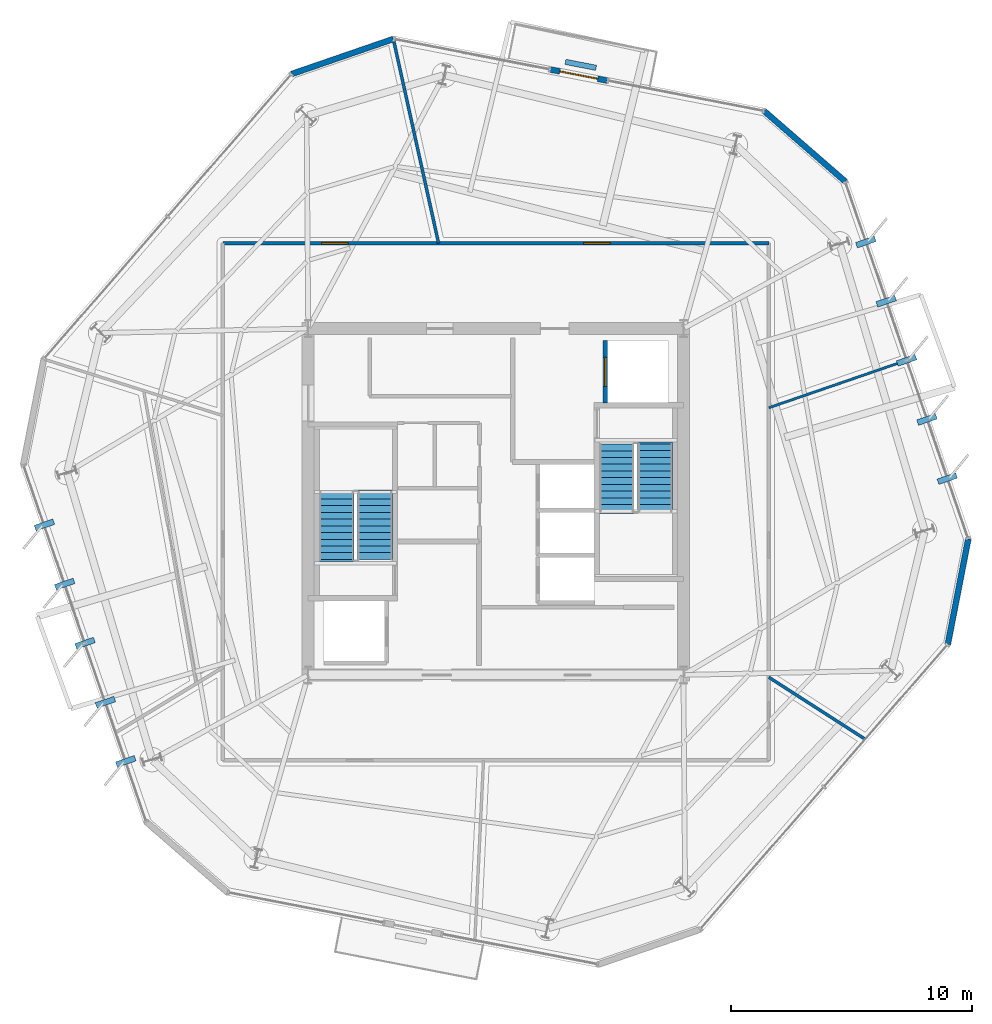
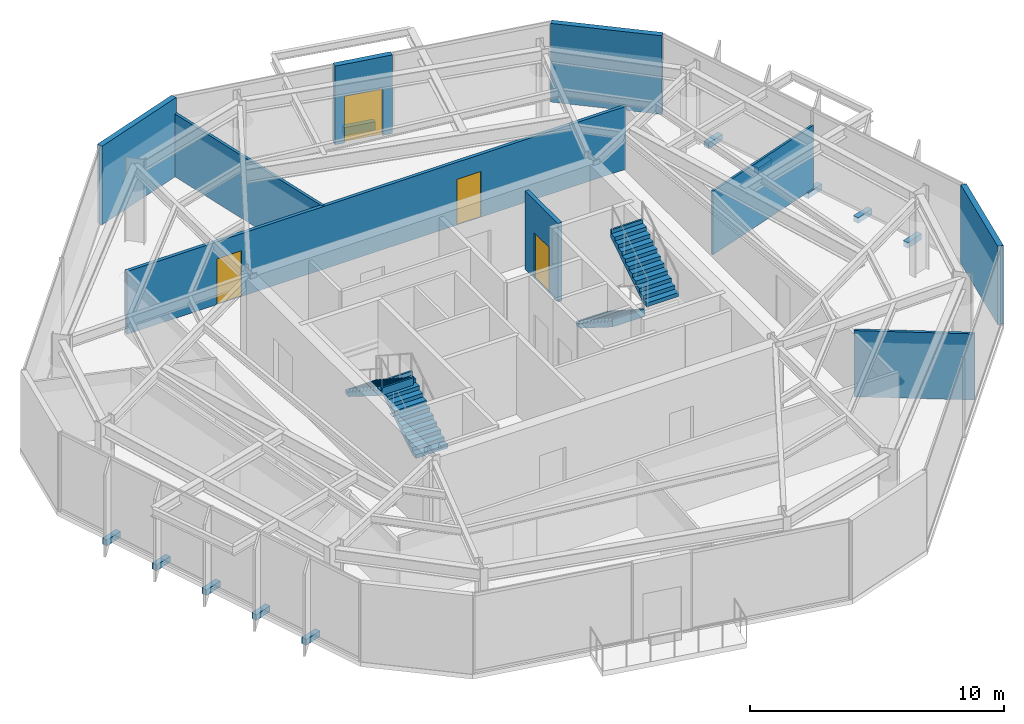
# One storey, part 8 of 11: 10 discrete accessories, 10 walls, 4 doors, 4 stair flights, 4 openings, 2 elements without a shape of their own.
"""IFC4 building model written with IfcOpenShell, lengths in metres."""

from ifc_helpers import new_model, si_unit, direction, frame, frame_2d, origin, origin_2d, place, context, subcontext, project, spatial, polyline, rectangle, outline, extrude, material, layer, layer_set, type_object, element, fill, aggregate, save


model = new_model("IFC4")

# Units and contexts
model_context = context("Model", 3, precision=1e-05, world=origin(), true_north=direction((0.0, 1.0)))
body_context = subcontext(model_context, "Body", "Model", "MODEL_VIEW")
ifc_project = project(units=[si_unit("LENGTHUNIT", "METRE"), si_unit("AREAUNIT", "SQUARE_METRE"), si_unit("VOLUMEUNIT", "CUBIC_METRE"), si_unit("PLANEANGLEUNIT", "RADIAN"), si_unit("MASSUNIT", "GRAM", prefix="KILO")], contexts=[model_context])

# Site, building, storey
site_placement = place(None, origin())
site = spatial("IfcSite", under=ifc_project, at=site_placement, CompositionType="ELEMENT")
building_placement = place(site_placement, origin())
building = spatial("IfcBuilding", under=site, at=building_placement, Name="Kranzbogen Civic Tower", CompositionType="ELEMENT")
storey_placement = place(building_placement, frame((0.0, 0.0, 220.800048828125)))
storey = spatial("IfcBuildingStorey", under=building, at=storey_placement, Name="L53", CompositionType="ELEMENT", Elevation=220.800048828125)

# Wall, openings, doors
ifc_material_1 = material(Name="Double-Stud Acoustic Gypsum Partition")
ifc_layer_1 = layer(ifc_material_1, 0.14990234375, Name="Double-Stud Acoustic Gypsum Partition")
ifc_layer_set_1 = layer_set([ifc_layer_1], Name="Double-Stud Acoustic Gypsum Partition")
wall_type_1 = type_object("IfcWallType", Name="Acoustic Corridor and Clinical Partition 150 mm", PredefinedType="PARTITIONING", material=ifc_layer_set_1)
wall_1_placement = place(storey_placement, frame((13.64990234375, 35.75, 0.0), z_axis=(0.0, 0.0, 1.0), x_axis=(1.0, 0.0, 0.0)))
wall_1 = element("IfcWall", 1, at=wall_1_placement, inside=storey, type_object=wall_type_1, Name="L53 corridor partition 01", PredefinedType="PARTITIONING", context=body_context, shape_type="SweptSolid", body=[
    extrude(rectangle(XDim=22.7001953125, YDim=0.14990234375, at=frame_2d((11.35009765625, 0.0))), origin(), (0.0, 0.0, 1.0), 3.02001953125),
])
opening_1_placement = place(wall_1_placement, frame((15.0048828125, 0.0, 0.0)))
opening_1 = element("IfcOpeningElement", 2, at=opening_1_placement, cuts=wall_1, Name="Opening D-COR60", PredefinedType="OPENING", context=body_context, shape_type="SweptSolid", body=[
    extrude(rectangle(XDim=1.10009765625, YDim=2.199951171875, at=frame_2d((0.550048828125, 1.10009765625))), frame((0.0, 0.0849609375, 0.0), z_axis=(0.0, -1.0, 0.0), x_axis=(1.0, 0.0, 0.0)), (0.0, 0.0, 1.0), 0.169921875),
])
opening_2_placement = place(wall_1_placement, frame((4.110107421875, 0.0, 0.0)))
opening_2 = element("IfcOpeningElement", 3, at=opening_2_placement, cuts=wall_1, Name="Opening D-COR60", PredefinedType="OPENING", context=body_context, shape_type="SweptSolid", body=[
    extrude(rectangle(XDim=1.10009765625, YDim=2.199951171875, at=frame_2d((0.550048828125, 1.10009765625))), frame((0.0, 0.0849609375, 0.0), z_axis=(0.0, -1.0, 0.0), x_axis=(1.0, 0.0, 0.0)), (0.0, 0.0, 1.0), 0.169921875),
])
ifc_material_2 = material(Name="Oak Timber and Fire Core", Category="wood")
door_type_1 = type_object("IfcDoorType", Name="Corridor Acoustic Fire Door 1100x2200", OperationType="NOTDEFINED", PredefinedType="DOOR", material=ifc_material_2)
door_1_placement = place(opening_1_placement, origin())
door_1 = element("IfcDoor", 4, at=door_1_placement, inside=storey, type_object=door_type_1, Name="L53 Protocol Entrance Reception door", OperationType="SINGLE_SWING_LEFT", OverallHeight=2.199951171875, OverallWidth=1.10009765625, PredefinedType="DOOR", context=body_context, shape_type="SweptSolid", body=[
    extrude(rectangle(XDim=1.10009765625, YDim=2.199951171875, at=frame_2d((0.550048828125, 1.10009765625))), frame((0.0, 0.02490234375, 0.0), z_axis=(0.0, -1.0, 0.0), x_axis=(1.0, 0.0, 0.0)), (0.0, 0.0, 1.0), 0.050048828125),
])
fill(opening_1, door_1)
door_2_placement = place(opening_2_placement, origin())
door_2 = element("IfcDoor", 5, at=door_2_placement, inside=storey, type_object=door_type_1, Name="L53 Civic Reference Library door", OperationType="SINGLE_SWING_RIGHT", OverallHeight=2.199951171875, OverallWidth=1.10009765625, PredefinedType="DOOR", context=body_context, shape_type="SweptSolid", body=[
    extrude(rectangle(XDim=1.10009765625, YDim=2.199951171875, at=frame_2d((0.550048828125, 1.10009765625))), frame((0.0, 0.02490234375, 0.0), z_axis=(0.0, -1.0, 0.0), x_axis=(1.0, 0.0, 0.0)), (0.0, 0.0, 1.0), 0.050048828125),
])
fill(opening_2, door_2)

# Walls
ifc_material_3 = material(Name="Insulated Metal-Stud Gypsum Partition")
ifc_layer_2 = layer(ifc_material_3, 0.125, Name="Insulated Metal-Stud Gypsum Partition")
ifc_layer_set_2 = layer_set([ifc_layer_2], Name="Insulated Metal-Stud Gypsum Partition")
wall_type_2 = type_object("IfcWallType", Name="Acoustic Inter-Room Partition 125 mm", PredefinedType="PARTITIONING", material=ifc_layer_set_2)
wall_2_placement = place(storey_placement, frame((22.618896484375, 35.75, 0.0), z_axis=(0.0, 0.0, 1.0), x_axis=(-0.2163285843, 0.976320615174, 0.0)))
element("IfcWall", 6, at=wall_2_placement, inside=storey, type_object=wall_type_2, Name="L53 radial room partition 01", PredefinedType="PARTITIONING", context=body_context, shape_type="SweptSolid", body=[
    extrude(rectangle(XDim=8.676513671875, YDim=0.125, at=frame_2d((4.33837890625, 0.0))), origin(), (0.0, 0.0, 1.0), 3.02001953125),
])
wall_3_placement = place(storey_placement, frame((36.35009765625, 17.701904296875, 0.0), z_axis=(0.0, 0.0, 1.0), x_axis=(0.841170126026, -0.540770578972, 0.0)))
element("IfcWall", 7, at=wall_3_placement, inside=storey, type_object=wall_type_2, Name="L53 radial room partition 05", PredefinedType="PARTITIONING", context=body_context, shape_type="SweptSolid", body=[
    extrude(rectangle(XDim=4.750244140625, YDim=0.125, at=frame_2d((2.375, 0.0))), origin(), (0.0, 0.0, 1.0), 3.179931640625),
])
ifc_material_4 = material(Name="Architectural Precast Terracotta Concrete C40/50", Category="masonry")
ifc_layer_3 = layer(ifc_material_4, 0.219970703125, Name="Architectural Precast Terracotta Concrete C40/50")
ifc_layer_set_3 = layer_set([ifc_layer_3], Name="Architectural Precast Terracotta Concrete C40/50")
wall_type_3 = type_object("IfcWallType", Name="Architectural Tree Planter Kerb Wall 220 mm", PredefinedType="USERDEFINED", material=ifc_layer_set_3)
wall_4_placement = place(storey_placement, frame((29.1689453125, 43.0400390625, 0.0), z_axis=(0.0, 0.0, 1.0), x_axis=(-0.981621254658, 0.190839493826, 0.0)))
element("IfcWall", 8, at=wall_4_placement, inside=storey, type_object=wall_type_3, Name="L53 landscaped tree balcony planter L53-TB1", ObjectType="PLANTER_WALL", PredefinedType="USERDEFINED", context=body_context, shape_type="SweptSolid", body=[
    extrude(rectangle(XDim=1.2998046875, YDim=0.219970703125, at=frame_2d((0.64990234375, 0.0))), origin(), (0.0, 0.0, 1.0), 0.39990234375),
])
ifc_material_5 = material(Name="Demountable Aluminium and Gypsum Partition", Category="aluminium")
ifc_layer_4 = layer(ifc_material_5, 0.10009765625, Name="Demountable Aluminium and Gypsum Partition")
ifc_layer_set_4 = layer_set([ifc_layer_4], Name="Demountable Aluminium and Gypsum Partition")
wall_type_4 = type_object("IfcWallType", Name="Demountable Office Partition 100 mm", PredefinedType="MOVABLE", material=ifc_layer_set_4)
wall_5_placement = place(storey_placement, frame((36.35009765625, 28.907958984375, 0.0), z_axis=(0.0, 0.0, 1.0), x_axis=(0.945513966892, 0.325581538807, 0.0)))
element("IfcWall", 9, at=wall_5_placement, inside=storey, type_object=wall_type_4, Name="L53 radial room partition 06", PredefinedType="MOVABLE", context=body_context, shape_type="SweptSolid", body=[
    extrude(rectangle(XDim=6.050537109375, YDim=0.10009765625, at=frame_2d((3.025390625, 0.0))), origin(), (0.0, 0.0, 1.0), 3.050048828125),
])

# Wall, opening, door
ifc_material_6 = material(Name="Gypsum Fireboard Shaftliner")
ifc_layer_5 = layer(ifc_material_6, 0.175048828125, Name="Gypsum Fireboard Shaftliner")
ifc_layer_set_5 = layer_set([ifc_layer_5], Name="Gypsum Fireboard Shaftliner")
wall_type_5 = type_object("IfcWallType", Name="Fire-Rated Lift and Service Shaft Wall 175 mm", PredefinedType="PARTITIONING", material=ifc_layer_set_5)
wall_6_placement = place(storey_placement, frame((29.550048828125, 29.10009765625, 0.0), z_axis=(0.0, 0.0, 1.0), x_axis=(0.0, 1.0, 0.0)))
wall_6 = element("IfcWall", 10, at=wall_6_placement, inside=storey, type_object=wall_type_5, Name="L53 lift FF-02 landing wall", PredefinedType="PARTITIONING", context=body_context, shape_type="SweptSolid", body=[
    extrude(rectangle(XDim=2.599853515625, YDim=0.175048828125, at=frame_2d((1.2998046875, 0.0))), origin(), (0.0, 0.0, 1.0), 3.780029296875),
])
opening_3_placement = place(wall_6_placement, frame((0.699951171875, 0.0, 0.0)))
opening_3 = element("IfcOpeningElement", 11, at=opening_3_placement, cuts=wall_6, Name="Opening LD-FF-02", PredefinedType="OPENING", context=body_context, shape_type="SweptSolid", body=[
    extrude(rectangle(XDim=1.199951171875, YDim=2.199951171875, at=frame_2d((0.60009765625, 1.10009765625))), frame((0.0, 0.09765625, 0.0), z_axis=(0.0, -1.0, 0.0), x_axis=(1.0, 0.0, 0.0)), (0.0, 0.0, 1.0), 0.195068359375),
])
ifc_material_7 = material(Name="Pale Anodised Aluminium", Category="aluminium")
door_type_2 = type_object("IfcDoorType", Name="Firefighting and Stretcher Lift Sliding Landing Door 1200x2200", OperationType="DOUBLE_DOOR_SLIDING", PredefinedType="DOOR", material=ifc_material_7)
door_3_placement = place(opening_3_placement, origin())
door_3 = element("IfcDoor", 12, at=door_3_placement, inside=storey, type_object=door_type_2, Name="L53 lift FF-02 sliding landing door", OperationType="DOUBLE_DOOR_SLIDING", OverallHeight=2.199951171875, OverallWidth=1.199951171875, PredefinedType="DOOR", context=body_context, shape_type="SweptSolid", body=[
    extrude(rectangle(XDim=1.199951171875, YDim=2.199951171875, at=frame_2d((0.60009765625, 1.10009765625))), frame((0.0, 0.02490234375, 0.0), z_axis=(0.0, -1.0, 0.0), x_axis=(1.0, 0.0, 0.0)), (0.0, 0.0, 1.0), 0.050048828125),
])
fill(opening_3, door_3)

ifc_layer_6 = layer(ifc_material_7, 0.239990234375, Name="Pale Anodised Aluminium")
ifc_layer_set_6 = layer_set([ifc_layer_6], Name="Pale Anodised Aluminium")
wall_type_6 = type_object("IfcWallType", Name="Insulated Aluminium Facade Portal Wall 240 mm", PredefinedType="STANDARD", material=ifc_layer_set_6)
wall_7_placement = place(storey_placement, frame((29.626953125, 42.510009765625, 0.0), z_axis=(0.0, 0.0, 1.0), x_axis=(-0.981622800685, 0.190831541356, 0.0)))
wall_7 = element("IfcWall", 13, at=wall_7_placement, inside=storey, type_object=wall_type_6, Name="L53 exterior entrance portal wall 1", PredefinedType="STANDARD", context=body_context, shape_type="SweptSolid", body=[
    extrude(rectangle(XDim=2.400146484375, YDim=0.239990234375, at=frame_2d((1.2001953125, 0.0))), origin(), (0.0, 0.0, 1.0), 3.780029296875),
])
opening_4_placement = place(wall_7_placement, frame((0.39990234375, 0.0, 0.0)))
opening_4 = element("IfcOpeningElement", 14, at=opening_4_placement, cuts=wall_7, Name="Opening D-TER", PredefinedType="OPENING", context=body_context, shape_type="SweptSolid", body=[
    extrude(rectangle(XDim=1.60009765625, YDim=2.25, at=frame_2d((0.800048828125, 1.125))), frame((0.0, 0.1298828125, 0.0), z_axis=(0.0, -1.0, 0.0), x_axis=(1.0, 0.0, 0.0)), (0.0, 0.0, 1.0), 0.260009765625),
])
ifc_material_8 = material(Name="Anodised Bronze and Triple Glass", Category="glass")
door_type_3 = type_object("IfcDoorType", Name="Glazed Terrace and Balcony Double Door 1600x2250", OperationType="DOUBLE_DOOR_SINGLE_SWING", PredefinedType="DOOR", material=ifc_material_8)
door_4_placement = place(opening_4_placement, frame((1.60009765625, 0.0, 0.0), z_axis=(0.0, 0.0, 1.0), x_axis=(-1.0, 0.0, 0.0)))
door_4 = element("IfcDoor", 15, at=door_4_placement, inside=storey, type_object=door_type_3, Name="L53 tree balcony access door L53-TB1", OperationType="DOUBLE_DOOR_SINGLE_SWING", OverallHeight=2.25, OverallWidth=1.60009765625, PredefinedType="DOOR", context=body_context, shape_type="SweptSolid", body=[
    extrude(rectangle(XDim=1.60009765625, YDim=2.25, at=frame_2d((0.800048828125, 1.125))), frame((0.0, 0.02490234375, 0.0), z_axis=(0.0, -1.0, 0.0), x_axis=(1.0, 0.0, 0.0)), (0.0, 0.0, 1.0), 0.050048828125),
])
fill(opening_4, door_4)

# Walls
wall_8_placement = place(storey_placement, frame((20.738037109375, 44.238037109375, 0.0), z_axis=(0.0, 0.0, 1.0), x_axis=(-0.94554475493, -0.325492114227, 0.0)))
element("IfcWall", 16, at=wall_8_placement, inside=storey, type_object=wall_type_6, Name="L53 chamfered corner facade spandrel 1", PredefinedType="STANDARD", context=body_context, shape_type="SweptSolid", body=[
    extrude(rectangle(XDim=4.46728515625, YDim=0.239990234375, at=frame_2d((2.233642578125, 0.0))), origin(), (0.0, 0.0, 1.0), 3.780029296875),
])
wall_9_placement = place(storey_placement, frame((43.791015625, 19.071044921875, 0.0), z_axis=(0.0, 0.0, 1.0), x_axis=(0.190871121271, 0.981615105357, 0.0)))
element("IfcWall", 17, at=wall_9_placement, inside=storey, type_object=wall_type_6, Name="L53 chamfered corner facade spandrel 5", PredefinedType="STANDARD", context=body_context, shape_type="SweptSolid", body=[
    extrude(rectangle(XDim=4.46923828125, YDim=0.239990234375, at=frame_2d((2.234619140625, 0.0))), origin(), (0.0, 0.0, 1.0), 3.780029296875),
])
wall_10_placement = place(storey_placement, frame((39.530029296875, 38.30908203125, 0.0), z_axis=(0.0, 0.0, 1.0), x_axis=(-0.754644337128, 0.656134075049, 0.0)))
element("IfcWall", 18, at=wall_10_placement, inside=storey, type_object=wall_type_6, Name="L53 chamfered corner facade spandrel 6", PredefinedType="STANDARD", context=body_context, shape_type="SweptSolid", body=[
    extrude(rectangle(XDim=4.468505859375, YDim=0.239990234375, at=frame_2d((2.234375, 0.0))), origin(), (0.0, 0.0, 1.0), 3.780029296875),
])

# Stair, stair flights
ifc_material_9 = material(Name="Precast concrete C40/50", Category="concrete")
stair_type_1 = type_object("IfcStairType", Name="Tower Core Pressurized Dogleg Stair 1450", PredefinedType="HALF_TURN_STAIR", material=ifc_material_9)
stair_1_placement = place(storey_placement, origin())
stair_1 = element("IfcStair", 19, at=stair_1_placement, inside=storey, type_object=stair_type_1, Name="L53 Tower Core Pressurized Stair 1", PredefinedType="HALF_TURN_STAIR")
stair_flight_type = type_object("IfcStairFlightType", Name="Precast Concrete Stair Flight R180", PredefinedType="STRAIGHT", material=ifc_material_9)
stair_flight_1_placement = place(storey_placement, frame((19.97509765625, 22.60009765625, 0.0), z_axis=(0.0, 0.0, 1.0), x_axis=(0.0, 1.0, 0.0)))
stair_flight_1 = element("IfcStairFlight", 20, at=stair_flight_1_placement, type_object=stair_flight_type, Name="ST-T1 flight 1", NumberOfRisers=11, NumberOfTreads=10, PredefinedType="STRAIGHT", RiserHeight=0.181818182, TreadLength=0.28, context=body_context, shape_type="SweptSolid", body=[
    extrude(outline(polyline([(0.0, 0.0), (0.0, 0.181884765625), (0.280029296875, 0.181884765625), (0.280029296875, 0.363525390625), (0.56005859375, 0.363525390625), (0.56005859375, 0.54541015625), (0.840087890625, 0.54541015625), (0.840087890625, 0.727294921875), (1.1201171875, 0.727294921875), (1.1201171875, 0.9091796875), (1.39990234375, 0.9091796875), (1.39990234375, 1.0908203125), (1.679931640625, 1.0908203125), (1.679931640625, 1.272705078125), (1.9599609375, 1.272705078125), (1.9599609375, 1.45458984375), (2.239990234375, 1.45458984375), (2.239990234375, 1.636474609375), (2.52001953125, 1.636474609375), (2.52001953125, 1.818115234375), (2.800048828125, 1.818115234375), (2.800048828125, 2.0), (2.880126953125, 2.0), (2.880126953125, 1.639404296875), (0.275146484375, 0.0), (0.0, 0.0)])), frame((0.0, 0.72509765625, 0.0), z_axis=(0.0, -1.0, 0.0), x_axis=(1.0, 0.0, 0.0)), (0.0, 0.0, 1.0), 1.449951171875),
])
stair_flight_2_placement = place(storey_placement, frame((18.375, 25.39990234375, 2.0), z_axis=(0.0, 0.0, 1.0), x_axis=(0.0, -1.0, 0.0)))
stair_flight_2 = element("IfcStairFlight", 21, at=stair_flight_2_placement, type_object=stair_flight_type, Name="ST-T1 flight 2", NumberOfRisers=11, NumberOfTreads=10, PredefinedType="STRAIGHT", RiserHeight=0.181818182, TreadLength=0.28, context=body_context, shape_type="SweptSolid", body=[
    extrude(outline(polyline([(0.0, 0.0), (0.0, 0.181884765625), (0.280029296875, 0.181884765625), (0.280029296875, 0.363525390625), (0.56005859375, 0.363525390625), (0.56005859375, 0.54541015625), (0.840087890625, 0.54541015625), (0.840087890625, 0.727294921875), (1.1201171875, 0.727294921875), (1.1201171875, 0.9091796875), (1.39990234375, 0.9091796875), (1.39990234375, 1.0908203125), (1.679931640625, 1.0908203125), (1.679931640625, 1.272705078125), (1.9599609375, 1.272705078125), (1.9599609375, 1.45458984375), (2.239990234375, 1.45458984375), (2.239990234375, 1.636474609375), (2.52001953125, 1.636474609375), (2.52001953125, 1.818115234375), (2.800048828125, 1.818115234375), (2.800048828125, 2.0), (2.880126953125, 2.0), (2.880126953125, 1.639404296875), (0.275146484375, 0.0), (0.0, 0.0)])), frame((0.0, 0.72509765625, 0.0), z_axis=(0.0, -1.0, 0.0), x_axis=(1.0, 0.0, 0.0)), (0.0, 0.0, 1.0), 1.449951171875),
])
aggregate(stair_1, [stair_flight_1, stair_flight_2])

stair_type_2 = type_object("IfcStairType", Name="Tower Core Secondary Dogleg Stair 1450", PredefinedType="HALF_TURN_STAIR", material=ifc_material_9)
stair_2_placement = place(storey_placement, origin())
stair_2 = element("IfcStair", 22, at=stair_2_placement, inside=storey, type_object=stair_type_2, Name="L53 Tower Core Pressurized Stair 2", PredefinedType="HALF_TURN_STAIR")
stair_flight_3_placement = place(storey_placement, frame((30.02490234375, 27.39990234375, 0.0), z_axis=(0.0, 0.0, 1.0), x_axis=(0.0, -1.0, 0.0)))
stair_flight_3 = element("IfcStairFlight", 23, at=stair_flight_3_placement, type_object=stair_flight_type, Name="ST-T2 flight 1", NumberOfRisers=11, NumberOfTreads=10, PredefinedType="STRAIGHT", RiserHeight=0.181818182, TreadLength=0.28, context=body_context, shape_type="SweptSolid", body=[
    extrude(outline(polyline([(0.0, 0.0), (0.0, 0.181884765625), (0.280029296875, 0.181884765625), (0.280029296875, 0.363525390625), (0.56005859375, 0.363525390625), (0.56005859375, 0.54541015625), (0.840087890625, 0.54541015625), (0.840087890625, 0.727294921875), (1.1201171875, 0.727294921875), (1.1201171875, 0.9091796875), (1.39990234375, 0.9091796875), (1.39990234375, 1.0908203125), (1.679931640625, 1.0908203125), (1.679931640625, 1.272705078125), (1.9599609375, 1.272705078125), (1.9599609375, 1.45458984375), (2.239990234375, 1.45458984375), (2.239990234375, 1.636474609375), (2.52001953125, 1.636474609375), (2.52001953125, 1.818115234375), (2.800048828125, 1.818115234375), (2.800048828125, 2.0), (2.880126953125, 2.0), (2.880126953125, 1.639404296875), (0.275146484375, 0.0), (0.0, 0.0)])), frame((0.0, 0.72509765625, 0.0), z_axis=(0.0, -1.0, 0.0), x_axis=(1.0, 0.0, 0.0)), (0.0, 0.0, 1.0), 1.449951171875),
])
stair_flight_4_placement = place(storey_placement, frame((31.625, 24.60009765625, 2.0), z_axis=(0.0, 0.0, 1.0), x_axis=(0.0, 1.0, 0.0)))
stair_flight_4 = element("IfcStairFlight", 24, at=stair_flight_4_placement, type_object=stair_flight_type, Name="ST-T2 flight 2", NumberOfRisers=11, NumberOfTreads=10, PredefinedType="STRAIGHT", RiserHeight=0.181818182, TreadLength=0.28, context=body_context, shape_type="SweptSolid", body=[
    extrude(outline(polyline([(0.0, 0.0), (0.0, 0.181884765625), (0.280029296875, 0.181884765625), (0.280029296875, 0.363525390625), (0.56005859375, 0.363525390625), (0.56005859375, 0.54541015625), (0.840087890625, 0.54541015625), (0.840087890625, 0.727294921875), (1.1201171875, 0.727294921875), (1.1201171875, 0.9091796875), (1.39990234375, 0.9091796875), (1.39990234375, 1.0908203125), (1.679931640625, 1.0908203125), (1.679931640625, 1.272705078125), (1.9599609375, 1.272705078125), (1.9599609375, 1.45458984375), (2.239990234375, 1.45458984375), (2.239990234375, 1.636474609375), (2.52001953125, 1.636474609375), (2.52001953125, 1.818115234375), (2.800048828125, 1.818115234375), (2.800048828125, 2.0), (2.880126953125, 2.0), (2.880126953125, 1.639404296875), (0.275146484375, 0.0), (0.0, 0.0)])), frame((0.0, 0.72509765625, 0.0), z_axis=(0.0, -1.0, 0.0), x_axis=(1.0, 0.0, 0.0)), (0.0, 0.0, 1.0), 1.449951171875),
])
aggregate(stair_2, [stair_flight_3, stair_flight_4])

# Discrete accessories
ifc_material_10 = material(Name="Steel S355", Category="steel")
discrete_accessory_type = type_object("IfcDiscreteAccessoryType", Name="Structural Curtain-Wall Fin Support Bracket", PredefinedType="BRACKET", material=ifc_material_10)
for number, where, z_axis, x_axis, name in (
    (25, (6.23095703125, 24.037109375, -0.25), (0.0, 0.0, 1.0), (-0.945518575599, -0.325568154457, 0.0), "L53 facade fin support bracket F3-1"),
    (26, (7.076904296875, 21.577880859375, -0.25), (0.0, 0.0, 1.0), (-0.945518575599, -0.325568154457, 0.0), "L53 facade fin support bracket F3-2"),
    (27, (7.924072265625, 19.1201171875, -0.25), (0.0, 0.0, 1.0), (-0.945518575599, -0.325568154457, 0.0), "L53 facade fin support bracket F3-3"),
    (28, (8.77001953125, 16.662109375, -0.25), (0.0, 0.0, 1.0), (-0.945518575599, -0.325568154457, 0.0), "L53 facade fin support bracket F3-4"),
    (29, (9.616943359375, 14.202880859375, -0.25), (0.0, 0.0, 1.0), (-0.945518575599, -0.325568154457, 0.0), "L53 facade fin support bracket F3-5"),
    (30, (43.76904296875, 25.962890625, -0.25), (0.0, 0.0, 1.0), (0.945518575599, 0.325568154457, 0.0), "L53 facade fin support bracket F6-1"),
    (31, (42.923095703125, 28.422119140625, -0.25), (0.0, 0.0, 1.0), (0.945518575599, 0.325568154457, 0.0), "L53 facade fin support bracket F6-2"),
    (32, (42.075927734375, 30.8798828125, -0.25), (0.0, 0.0, 1.0), (0.945518575599, 0.325568154457, 0.0), "L53 facade fin support bracket F6-3"),
    (33, (41.22998046875, 33.337890625, -0.25), (0.0, 0.0, 1.0), (0.945518575599, 0.325568154457, 0.0), "L53 facade fin support bracket F6-4"),
    (34, (40.383056640625, 35.797119140625, -0.25), (0.0, 0.0, 1.0), (0.945518575599, 0.325568154457, 0.0), "L53 facade fin support bracket F6-5"),
):
    element("IfcDiscreteAccessory", number, at=place(storey_placement, frame(where, z_axis=z_axis, x_axis=x_axis)), inside=storey, type_object=discrete_accessory_type, Name=name, PredefinedType="BRACKET", context=body_context, shape_type="SweptSolid", body=[
        extrude(rectangle(XDim=0.820068359375, YDim=0.239990234375, at=origin_2d()), origin(), (0.0, 0.0, 1.0), 0.280029296875),
    ])

save(model, "model.ifc")
